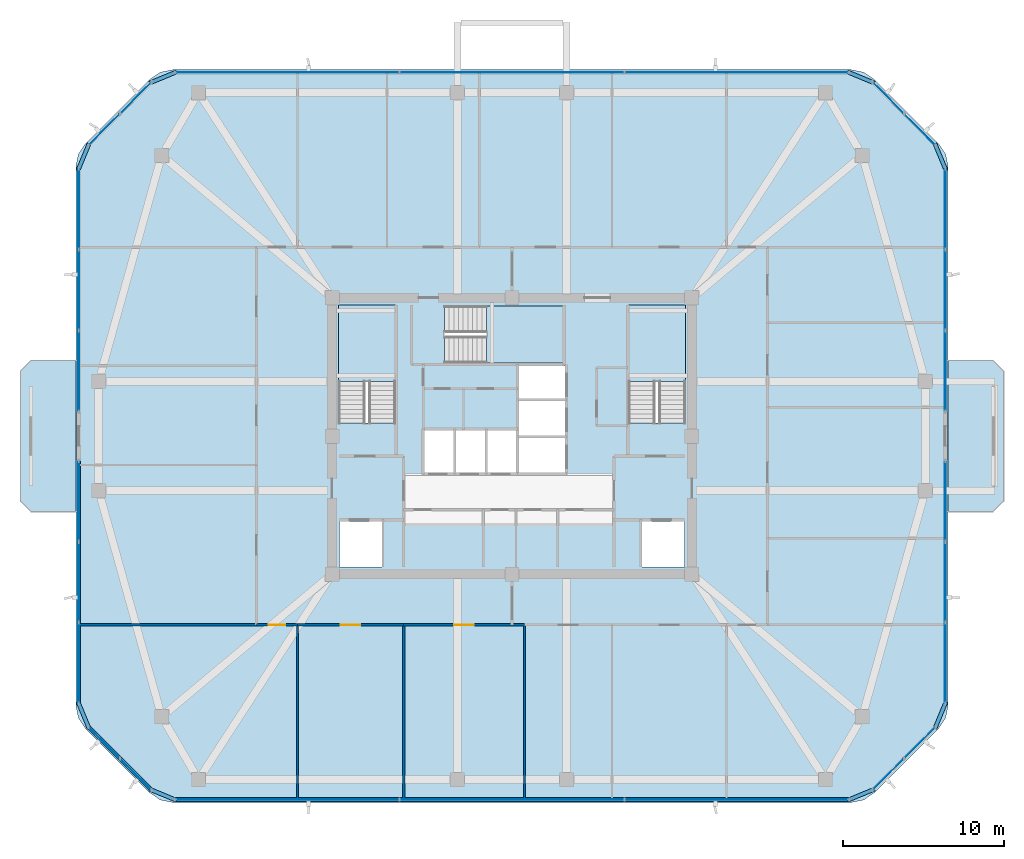
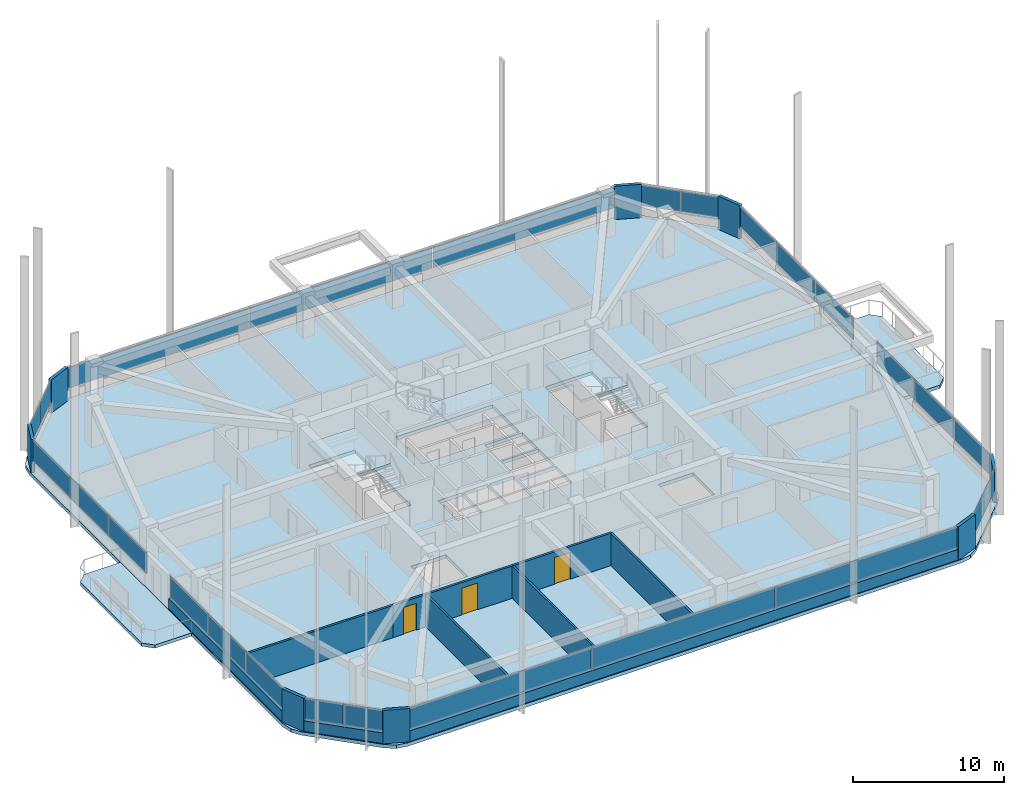
# One storey, part 9 of 17: 34 plates, 10 walls, 6 slabs, 3 doors, 3 openings, 13 elements without a shape of their own.
"""IFC4 building model written with IfcOpenShell, lengths in metres."""

from ifc_helpers import new_model, si_unit, derived_unit, direction, frame, frame_2d, origin, origin_2d, place, context, subcontext, project, spatial, polyline, rectangle, outline, extrude, material, layer, layer_set, type_object, element, fill, aggregate, save


model = new_model("IFC4")

# Units and contexts
model_context = context("Model", 3, precision=1e-05, world=origin(), true_north=direction((0.0, 1.0)))
body_context = subcontext(model_context, "Body", "Model", "MODEL_VIEW")
ifc_project = project(units=[si_unit("LENGTHUNIT", "METRE"), si_unit("AREAUNIT", "SQUARE_METRE"), si_unit("VOLUMEUNIT", "CUBIC_METRE"), si_unit("PLANEANGLEUNIT", "RADIAN"), si_unit("MASSUNIT", "GRAM", prefix="KILO"), derived_unit("THERMALTRANSMITTANCEUNIT", [(si_unit("POWERUNIT", "WATT"), 1), (si_unit("LENGTHUNIT", "METRE"), -2), (si_unit("THERMODYNAMICTEMPERATUREUNIT", "KELVIN"), -1)])], contexts=[model_context])

# Site, building, storey
site_placement = place(None, origin())
site = spatial("IfcSite", under=ifc_project, at=site_placement, CompositionType="ELEMENT")
building_placement = place(site_placement, origin())
building = spatial("IfcBuilding", under=site, at=building_placement, Name="Koralith Skygarden Medical Center", CompositionType="ELEMENT")
storey_placement = place(building_placement, frame((0.0, 0.0, 221.580078125)))
storey = spatial("IfcBuildingStorey", under=building, at=storey_placement, Name="L57", CompositionType="ELEMENT", Elevation=221.580078125)

# Curtain wall, plates
ifc_material_1 = material(Name="Clear Laminated Glass", Category="glass")
curtain_wall_type = type_object("IfcCurtainWallType", Name="CW-5 Zone 4 Flare Biophilic Curtain Wall", PredefinedType="NOTDEFINED", material=ifc_material_1)
curtain_wall_1_placement = place(storey_placement, origin())
curtain_wall_1 = element("IfcCurtainWall", 1, at=curtain_wall_1_placement, inside=storey, type_object=curtain_wall_type, Name="Curtain Wall CW-L57-S", PredefinedType="NOTDEFINED")
ifc_layer_1 = layer(ifc_material_1, 0.0380859375)
ifc_layer_set_1 = layer_set([ifc_layer_1], Name="Clear Laminated Glass")
plate_type_1 = type_object("IfcPlateType", Name="CW-5 Hurricane Laminated IGU Panel 38", PredefinedType="CURTAIN_PANEL", material=ifc_layer_set_1)
plate_1_placement = place(storey_placement, frame((23.009033203125, 3.280029296875, 0.919921875), z_axis=(0.0, 0.0, 1.0), x_axis=(1.0, 0.0, 0.0)))
plate_1 = element("IfcPlate", 2, at=plate_1_placement, type_object=plate_type_1, Name="CW-L57-S Glazed Panel 1", PredefinedType="CURTAIN_PANEL", context=body_context, shape_type="SweptSolid", body=[
    extrude(rectangle(XDim=13.90087890625, YDim=0.0380859375, at=origin_2d()), origin(), (0.0, 0.0, 1.0), 1.699951171875),
])
plate_2_placement = place(storey_placement, frame((37.0, 3.280029296875, 0.919921875), z_axis=(0.0, 0.0, 1.0), x_axis=(1.0, 0.0, 0.0)))
plate_2 = element("IfcPlate", 3, at=plate_2_placement, type_object=plate_type_1, Name="CW-L57-S Glazed Panel 2", PredefinedType="CURTAIN_PANEL", context=body_context, shape_type="SweptSolid", body=[
    extrude(rectangle(XDim=13.90087890625, YDim=0.0380859375, at=origin_2d()), origin(), (0.0, 0.0, 1.0), 1.699951171875),
])
plate_3_placement = place(storey_placement, frame((50.990966796875, 3.280029296875, 0.919921875), z_axis=(0.0, 0.0, 1.0), x_axis=(1.0, 0.0, 0.0)))
plate_3 = element("IfcPlate", 4, at=plate_3_placement, type_object=plate_type_1, Name="CW-L57-S Glazed Panel 3", PredefinedType="CURTAIN_PANEL", context=body_context, shape_type="SweptSolid", body=[
    extrude(rectangle(XDim=13.90087890625, YDim=0.0380859375, at=origin_2d()), origin(), (0.0, 0.0, 1.0), 1.699951171875),
])
aggregate(curtain_wall_1, [plate_1, plate_2, plate_3])

curtain_wall_2_placement = place(storey_placement, origin())
curtain_wall_2 = element("IfcCurtainWall", 5, at=curtain_wall_2_placement, inside=storey, type_object=curtain_wall_type, Name="Curtain Wall CW-L57-SE", PredefinedType="NOTDEFINED")
plate_4_placement = place(storey_placement, frame((60.4189453125, 4.862060546875, 0.919921875), z_axis=(0.0, 0.0, 1.0), x_axis=(0.707106781187, 0.707106781187, 0.0)))
plate_4 = element("IfcPlate", 6, at=plate_4_placement, type_object=plate_type_1, Name="CW-L57-SE Glazed Panel 1", PredefinedType="CURTAIN_PANEL", context=body_context, shape_type="SweptSolid", body=[
    extrude(rectangle(XDim=2.68408203125, YDim=0.0380859375, at=origin_2d()), origin(), (0.0, 0.0, 1.0), 1.699951171875),
])
plate_5_placement = place(storey_placement, frame((62.3798828125, 6.822998046875, 0.919921875), z_axis=(0.0, 0.0, 1.0), x_axis=(0.707106781187, 0.707106781187, 0.0)))
plate_5 = element("IfcPlate", 7, at=plate_5_placement, type_object=plate_type_1, Name="CW-L57-SE Glazed Panel 2", PredefinedType="CURTAIN_PANEL", context=body_context, shape_type="SweptSolid", body=[
    extrude(rectangle(XDim=2.68408203125, YDim=0.0380859375, at=origin_2d()), origin(), (0.0, 0.0, 1.0), 1.699951171875),
])
aggregate(curtain_wall_2, [plate_4, plate_5])

curtain_wall_3_placement = place(storey_placement, origin())
curtain_wall_3 = element("IfcCurtainWall", 8, at=curtain_wall_3_placement, inside=storey, type_object=curtain_wall_type, Name="Curtain Wall CW-L57-E-L", PredefinedType="NOTDEFINED")
plate_6_placement = place(storey_placement, frame((63.9619140625, 11.77294921875, 0.919921875), z_axis=(0.0, 0.0, 1.0), x_axis=(0.0, 1.0, 0.0)))
plate_6 = element("IfcPlate", 9, at=plate_6_placement, type_object=plate_type_1, Name="CW-L57-E-L Glazed Panel 1", PredefinedType="CURTAIN_PANEL", context=body_context, shape_type="SweptSolid", body=[
    extrude(rectangle(XDim=4.945068359375, YDim=0.0380859375, at=origin_2d()), origin(), (0.0, 0.0, 1.0), 1.699951171875),
])
plate_7_placement = place(storey_placement, frame((63.9619140625, 16.806884765625, 0.919921875), z_axis=(0.0, 0.0, 1.0), x_axis=(0.0, 1.0, 0.0)))
plate_7 = element("IfcPlate", 10, at=plate_7_placement, type_object=plate_type_1, Name="CW-L57-E-L Glazed Panel 2", PredefinedType="CURTAIN_PANEL", context=body_context, shape_type="SweptSolid", body=[
    extrude(rectangle(XDim=4.945068359375, YDim=0.0380859375, at=origin_2d()), origin(), (0.0, 0.0, 1.0), 1.699951171875),
])
plate_8_placement = place(storey_placement, frame((63.9619140625, 21.843017578125, 0.919921875), z_axis=(0.0, 0.0, 1.0), x_axis=(0.0, 1.0, 0.0)))
plate_8 = element("IfcPlate", 11, at=plate_8_placement, type_object=plate_type_1, Name="CW-L57-E-L Glazed Panel 3", PredefinedType="CURTAIN_PANEL", context=body_context, shape_type="SweptSolid", body=[
    extrude(rectangle(XDim=4.945068359375, YDim=0.0380859375, at=origin_2d()), origin(), (0.0, 0.0, 1.0), 1.699951171875),
])
aggregate(curtain_wall_3, [plate_6, plate_7, plate_8])

curtain_wall_4_placement = place(storey_placement, origin())
curtain_wall_4 = element("IfcCurtainWall", 12, at=curtain_wall_4_placement, inside=storey, type_object=curtain_wall_type, Name="Curtain Wall CW-L57-E-R", PredefinedType="NOTDEFINED")
plate_9_placement = place(storey_placement, frame((63.9619140625, 29.9580078125, 0.919921875), z_axis=(0.0, 0.0, 1.0), x_axis=(0.0, 1.0, 0.0)))
plate_9 = element("IfcPlate", 13, at=plate_9_placement, type_object=plate_type_1, Name="CW-L57-E-R Glazed Panel 1", PredefinedType="CURTAIN_PANEL", context=body_context, shape_type="SweptSolid", body=[
    extrude(rectangle(XDim=4.945068359375, YDim=0.0380859375, at=origin_2d()), origin(), (0.0, 0.0, 1.0), 1.699951171875),
])
plate_10_placement = place(storey_placement, frame((63.9619140625, 34.991943359375, 0.919921875), z_axis=(0.0, 0.0, 1.0), x_axis=(0.0, 1.0, 0.0)))
plate_10 = element("IfcPlate", 14, at=plate_10_placement, type_object=plate_type_1, Name="CW-L57-E-R Glazed Panel 2", PredefinedType="CURTAIN_PANEL", context=body_context, shape_type="SweptSolid", body=[
    extrude(rectangle(XDim=4.945068359375, YDim=0.0380859375, at=origin_2d()), origin(), (0.0, 0.0, 1.0), 1.699951171875),
])
plate_11_placement = place(storey_placement, frame((63.9619140625, 40.028076171875, 0.919921875), z_axis=(0.0, 0.0, 1.0), x_axis=(0.0, 1.0, 0.0)))
plate_11 = element("IfcPlate", 15, at=plate_11_placement, type_object=plate_type_1, Name="CW-L57-E-R Glazed Panel 3", PredefinedType="CURTAIN_PANEL", context=body_context, shape_type="SweptSolid", body=[
    extrude(rectangle(XDim=4.945068359375, YDim=0.0380859375, at=origin_2d()), origin(), (0.0, 0.0, 1.0), 1.699951171875),
])
aggregate(curtain_wall_4, [plate_9, plate_10, plate_11])

curtain_wall_5_placement = place(storey_placement, origin())
curtain_wall_5 = element("IfcCurtainWall", 16, at=curtain_wall_5_placement, inside=storey, type_object=curtain_wall_type, Name="Curtain Wall CW-L57-NE", PredefinedType="NOTDEFINED")
plate_12_placement = place(storey_placement, frame((62.3798828125, 44.97705078125, 0.919921875), z_axis=(0.0, 0.0, 1.0), x_axis=(-0.707106781187, 0.707106781187, 0.0)))
plate_12 = element("IfcPlate", 17, at=plate_12_placement, type_object=plate_type_1, Name="CW-L57-NE Glazed Panel 1", PredefinedType="CURTAIN_PANEL", context=body_context, shape_type="SweptSolid", body=[
    extrude(rectangle(XDim=2.68408203125, YDim=0.0380859375, at=origin_2d()), origin(), (0.0, 0.0, 1.0), 1.699951171875),
])
plate_13_placement = place(storey_placement, frame((60.4189453125, 46.93798828125, 0.919921875), z_axis=(0.0, 0.0, 1.0), x_axis=(-0.707106781187, 0.707106781187, 0.0)))
plate_13 = element("IfcPlate", 18, at=plate_13_placement, type_object=plate_type_1, Name="CW-L57-NE Glazed Panel 2", PredefinedType="CURTAIN_PANEL", context=body_context, shape_type="SweptSolid", body=[
    extrude(rectangle(XDim=2.68408203125, YDim=0.0380859375, at=origin_2d()), origin(), (0.0, 0.0, 1.0), 1.699951171875),
])
aggregate(curtain_wall_5, [plate_12, plate_13])

curtain_wall_6_placement = place(storey_placement, origin())
curtain_wall_6 = element("IfcCurtainWall", 19, at=curtain_wall_6_placement, inside=storey, type_object=curtain_wall_type, Name="Curtain Wall CW-L57-N", PredefinedType="NOTDEFINED")
plate_14_placement = place(storey_placement, frame((50.990966796875, 48.52001953125, 0.919921875), z_axis=(0.0, 0.0, 1.0), x_axis=(-1.0, 0.0, 0.0)))
plate_14 = element("IfcPlate", 20, at=plate_14_placement, type_object=plate_type_1, Name="CW-L57-N Glazed Panel 1", PredefinedType="CURTAIN_PANEL", context=body_context, shape_type="SweptSolid", body=[
    extrude(rectangle(XDim=13.90087890625, YDim=0.0380859375, at=origin_2d()), origin(), (0.0, 0.0, 1.0), 1.699951171875),
])
plate_15_placement = place(storey_placement, frame((37.0, 48.52001953125, 0.919921875), z_axis=(0.0, 0.0, 1.0), x_axis=(-1.0, 0.0, 0.0)))
plate_15 = element("IfcPlate", 21, at=plate_15_placement, type_object=plate_type_1, Name="CW-L57-N Glazed Panel 2", PredefinedType="CURTAIN_PANEL", context=body_context, shape_type="SweptSolid", body=[
    extrude(rectangle(XDim=13.90087890625, YDim=0.0380859375, at=origin_2d()), origin(), (0.0, 0.0, 1.0), 1.699951171875),
])
plate_16_placement = place(storey_placement, frame((23.009033203125, 48.52001953125, 0.919921875), z_axis=(0.0, 0.0, 1.0), x_axis=(-1.0, 0.0, 0.0)))
plate_16 = element("IfcPlate", 22, at=plate_16_placement, type_object=plate_type_1, Name="CW-L57-N Glazed Panel 3", PredefinedType="CURTAIN_PANEL", context=body_context, shape_type="SweptSolid", body=[
    extrude(rectangle(XDim=13.90087890625, YDim=0.0380859375, at=origin_2d()), origin(), (0.0, 0.0, 1.0), 1.699951171875),
])
aggregate(curtain_wall_6, [plate_14, plate_15, plate_16])

curtain_wall_7_placement = place(storey_placement, origin())
curtain_wall_7 = element("IfcCurtainWall", 23, at=curtain_wall_7_placement, inside=storey, type_object=curtain_wall_type, Name="Curtain Wall CW-L57-NW", PredefinedType="NOTDEFINED")
plate_17_placement = place(storey_placement, frame((13.5810546875, 46.93798828125, 0.919921875), z_axis=(0.0, 0.0, 1.0), x_axis=(-0.707106781187, -0.707106781187, 0.0)))
plate_17 = element("IfcPlate", 24, at=plate_17_placement, type_object=plate_type_1, Name="CW-L57-NW Glazed Panel 1", PredefinedType="CURTAIN_PANEL", context=body_context, shape_type="SweptSolid", body=[
    extrude(rectangle(XDim=2.68408203125, YDim=0.0380859375, at=origin_2d()), origin(), (0.0, 0.0, 1.0), 1.699951171875),
])
plate_18_placement = place(storey_placement, frame((11.6201171875, 44.97705078125, 0.919921875), z_axis=(0.0, 0.0, 1.0), x_axis=(-0.707106781187, -0.707106781187, 0.0)))
plate_18 = element("IfcPlate", 25, at=plate_18_placement, type_object=plate_type_1, Name="CW-L57-NW Glazed Panel 2", PredefinedType="CURTAIN_PANEL", context=body_context, shape_type="SweptSolid", body=[
    extrude(rectangle(XDim=2.68408203125, YDim=0.0380859375, at=origin_2d()), origin(), (0.0, 0.0, 1.0), 1.699951171875),
])
aggregate(curtain_wall_7, [plate_17, plate_18])

curtain_wall_8_placement = place(storey_placement, origin())
curtain_wall_8 = element("IfcCurtainWall", 26, at=curtain_wall_8_placement, inside=storey, type_object=curtain_wall_type, Name="Curtain Wall CW-L57-W-L", PredefinedType="NOTDEFINED")
plate_19_placement = place(storey_placement, frame((10.0380859375, 40.028076171875, 0.919921875), z_axis=(0.0, 0.0, 1.0), x_axis=(0.0, -1.0, 0.0)))
plate_19 = element("IfcPlate", 27, at=plate_19_placement, type_object=plate_type_1, Name="CW-L57-W-L Glazed Panel 1", PredefinedType="CURTAIN_PANEL", context=body_context, shape_type="SweptSolid", body=[
    extrude(rectangle(XDim=4.945068359375, YDim=0.0380859375, at=origin_2d()), origin(), (0.0, 0.0, 1.0), 1.699951171875),
])
plate_20_placement = place(storey_placement, frame((10.0380859375, 34.991943359375, 0.919921875), z_axis=(0.0, 0.0, 1.0), x_axis=(0.0, -1.0, 0.0)))
plate_20 = element("IfcPlate", 28, at=plate_20_placement, type_object=plate_type_1, Name="CW-L57-W-L Glazed Panel 2", PredefinedType="CURTAIN_PANEL", context=body_context, shape_type="SweptSolid", body=[
    extrude(rectangle(XDim=4.945068359375, YDim=0.0380859375, at=origin_2d()), origin(), (0.0, 0.0, 1.0), 1.699951171875),
])
plate_21_placement = place(storey_placement, frame((10.0380859375, 29.9580078125, 0.919921875), z_axis=(0.0, 0.0, 1.0), x_axis=(0.0, -1.0, 0.0)))
plate_21 = element("IfcPlate", 29, at=plate_21_placement, type_object=plate_type_1, Name="CW-L57-W-L Glazed Panel 3", PredefinedType="CURTAIN_PANEL", context=body_context, shape_type="SweptSolid", body=[
    extrude(rectangle(XDim=4.945068359375, YDim=0.0380859375, at=origin_2d()), origin(), (0.0, 0.0, 1.0), 1.699951171875),
])
aggregate(curtain_wall_8, [plate_19, plate_20, plate_21])

curtain_wall_9_placement = place(storey_placement, origin())
curtain_wall_9 = element("IfcCurtainWall", 30, at=curtain_wall_9_placement, inside=storey, type_object=curtain_wall_type, Name="Curtain Wall CW-L57-W-R", PredefinedType="NOTDEFINED")
plate_22_placement = place(storey_placement, frame((10.0380859375, 21.843017578125, 0.919921875), z_axis=(0.0, 0.0, 1.0), x_axis=(0.0, -1.0, 0.0)))
plate_22 = element("IfcPlate", 31, at=plate_22_placement, type_object=plate_type_1, Name="CW-L57-W-R Glazed Panel 1", PredefinedType="CURTAIN_PANEL", context=body_context, shape_type="SweptSolid", body=[
    extrude(rectangle(XDim=4.945068359375, YDim=0.0380859375, at=origin_2d()), origin(), (0.0, 0.0, 1.0), 1.699951171875),
])
plate_23_placement = place(storey_placement, frame((10.0380859375, 16.80810546875, 0.919921875), z_axis=(0.0, 0.0, 1.0), x_axis=(0.0, -1.0, 0.0)))
plate_23 = element("IfcPlate", 32, at=plate_23_placement, type_object=plate_type_1, Name="CW-L57-W-R Glazed Panel 2", PredefinedType="CURTAIN_PANEL", context=body_context, shape_type="SweptSolid", body=[
    extrude(rectangle(XDim=4.945068359375, YDim=0.0380859375, at=origin_2d()), origin(), (0.0, 0.0, 1.0), 1.699951171875),
])
plate_24_placement = place(storey_placement, frame((10.0380859375, 11.77294921875, 0.919921875), z_axis=(0.0, 0.0, 1.0), x_axis=(0.0, -1.0, 0.0)))
plate_24 = element("IfcPlate", 33, at=plate_24_placement, type_object=plate_type_1, Name="CW-L57-W-R Glazed Panel 3", PredefinedType="CURTAIN_PANEL", context=body_context, shape_type="SweptSolid", body=[
    extrude(rectangle(XDim=4.945068359375, YDim=0.0380859375, at=origin_2d()), origin(), (0.0, 0.0, 1.0), 1.699951171875),
])
aggregate(curtain_wall_9, [plate_22, plate_23, plate_24])

curtain_wall_10_placement = place(storey_placement, origin())
curtain_wall_10 = element("IfcCurtainWall", 34, at=curtain_wall_10_placement, inside=storey, type_object=curtain_wall_type, Name="Curtain Wall CW-L57-SW", PredefinedType="NOTDEFINED")
plate_25_placement = place(storey_placement, frame((11.6201171875, 6.822998046875, 0.919921875), z_axis=(0.0, 0.0, 1.0), x_axis=(0.707106781187, -0.707106781187, 0.0)))
plate_25 = element("IfcPlate", 35, at=plate_25_placement, type_object=plate_type_1, Name="CW-L57-SW Glazed Panel 1", PredefinedType="CURTAIN_PANEL", context=body_context, shape_type="SweptSolid", body=[
    extrude(rectangle(XDim=2.68408203125, YDim=0.0380859375, at=origin_2d()), origin(), (0.0, 0.0, 1.0), 1.699951171875),
])
plate_26_placement = place(storey_placement, frame((13.5810546875, 4.862060546875, 0.919921875), z_axis=(0.0, 0.0, 1.0), x_axis=(0.707106781187, -0.707106781187, 0.0)))
plate_26 = element("IfcPlate", 36, at=plate_26_placement, type_object=plate_type_1, Name="CW-L57-SW Glazed Panel 2", PredefinedType="CURTAIN_PANEL", context=body_context, shape_type="SweptSolid", body=[
    extrude(rectangle(XDim=2.68408203125, YDim=0.0380859375, at=origin_2d()), origin(), (0.0, 0.0, 1.0), 1.699951171875),
])
aggregate(curtain_wall_10, [plate_25, plate_26])

# Slabs
ifc_material_2 = material(Name="Concrete C45/55", Category="concrete")
ifc_layer_2 = layer(ifc_material_2, 0.260009765625)
ifc_layer_set_2 = layer_set([ifc_layer_2], Name="Concrete C45/55")
slab_type_1 = type_object("IfcSlabType", Name="Cantilevered Planted Balcony Slab 260", PredefinedType="FLOOR", material=ifc_layer_set_2)
slab_1_placement = place(storey_placement, frame((0.0, 0.0, -0.260009765625)))
element("IfcSlab", 37, at=slab_1_placement, inside=storey, type_object=slab_type_1, Name="L57 E Planted Sky-Garden Balcony Slab", PredefinedType="FLOOR", context=body_context, shape_type="SweptSolid", body=[
    extrude(outline(polyline([(64.14208984375, 21.199951171875), (66.94189453125, 21.199951171875), (67.592041015625, 21.85009765625), (67.592041015625, 29.949951171875), (66.94189453125, 30.60009765625), (64.14208984375, 30.60009765625), (64.14208984375, 21.199951171875)])), origin(), (0.0, 0.0, 1.0), 0.260009765625),
])
slab_2_placement = place(storey_placement, frame((0.0, 0.0, -0.260009765625)))
element("IfcSlab", 38, at=slab_2_placement, inside=storey, type_object=slab_type_1, Name="L57 W Planted Sky-Garden Balcony Slab", PredefinedType="FLOOR", context=body_context, shape_type="SweptSolid", body=[
    extrude(outline(polyline([(7.05810546875, 21.199951171875), (9.85791015625, 21.199951171875), (9.85791015625, 30.60009765625), (7.05810546875, 30.60009765625), (6.407958984375, 29.949951171875), (6.407958984375, 21.85009765625), (7.05810546875, 21.199951171875)])), origin(), (0.0, 0.0, 1.0), 0.260009765625),
])

# Stair, slab
stair_type = type_object("IfcStairType", Name="Core Exit Dogleg Concrete Stair", PredefinedType="HALF_TURN_STAIR", material=ifc_material_2)
stair_1_placement = place(storey_placement, origin())
stair_1 = element("IfcStair", 39, at=stair_1_placement, inside=storey, type_object=stair_type, Name="L57 Smokeproof Exit Stair ST1", PredefinedType="HALF_TURN_STAIR")
ifc_layer_3 = layer(ifc_material_2, 0.199951171875)
ifc_layer_set_3 = layer_set([ifc_layer_3], Name="Concrete C45/55")
slab_type_2 = type_object("IfcSlabType", Name="Core Exit Concrete Stair Landing 200", PredefinedType="LANDING", material=ifc_layer_set_3)
slab_3_placement = place(storey_placement, frame((0.0, 0.0, 1.599853515625)))
slab_3 = element("IfcSlab", 40, at=slab_3_placement, type_object=slab_type_2, Name="ST1 landing 1", PredefinedType="LANDING", context=body_context, shape_type="SweptSolid", body=[
    extrude(outline(polyline([(29.75, 29.31005859375), (29.75, 34.050048828125), (26.199951171875, 34.050048828125), (26.199951171875, 29.31005859375), (29.75, 29.31005859375)])), origin(), (0.0, 0.0, 1.0), 0.199951171875),
])
aggregate(stair_1, [slab_3])

stair_2_placement = place(storey_placement, origin())
stair_2 = element("IfcStair", 41, at=stair_2_placement, inside=storey, type_object=stair_type, Name="L57 Smokeproof Exit Stair ST2", PredefinedType="HALF_TURN_STAIR")
slab_4_placement = place(storey_placement, frame((0.0, 0.0, 1.599853515625)))
slab_4 = element("IfcSlab", 42, at=slab_4_placement, type_object=slab_type_2, Name="ST2 landing 1", PredefinedType="LANDING", context=body_context, shape_type="SweptSolid", body=[
    extrude(outline(polyline([(47.800048828125, 29.31005859375), (47.800048828125, 34.050048828125), (44.25, 34.050048828125), (44.25, 29.31005859375), (47.800048828125, 29.31005859375)])), origin(), (0.0, 0.0, 1.0), 0.199951171875),
])
aggregate(stair_2, [slab_4])

stair_3_placement = place(storey_placement, origin())
stair_3 = element("IfcStair", 43, at=stair_3_placement, inside=storey, type_object=stair_type, Name="L57 Smokeproof Exit Stair ST3", PredefinedType="HALF_TURN_STAIR")
slab_5_placement = place(storey_placement, frame((0.0, 0.0, 1.599853515625)))
slab_5 = element("IfcSlab", 44, at=slab_5_placement, type_object=slab_type_2, Name="ST3 landing 1", PredefinedType="LANDING", context=body_context, shape_type="SweptSolid", body=[
    extrude(outline(polyline([(35.409912109375, 30.449951171875), (40.199951171875, 30.449951171875), (40.199951171875, 34.0), (35.409912109375, 34.0), (35.409912109375, 30.449951171875)])), origin(), (0.0, 0.0, 1.0), 0.199951171875),
])
aggregate(stair_3, [slab_5])

# Slab
ifc_layer_4 = layer(ifc_material_2, 0.280029296875)
ifc_layer_set_4 = layer_set([ifc_layer_4], Name="Concrete C45/55")
slab_type_3 = type_object("IfcSlabType", Name="Post-Tensioned Ward Floor Plate 280", PredefinedType="FLOOR", material=ifc_layer_set_4)
slab_6_placement = place(storey_placement, frame((0.0, 0.0, -0.280029296875)))
element("IfcSlab", 45, at=slab_6_placement, inside=storey, type_object=slab_type_3, Name="Level L57 Structural Floor Slab", PredefinedType="FLOOR", context=body_context, shape_type="SweptSolid", body=[
    extrude(outline(polyline([(14.471923828125, 3.68603515625), (15.12109375, 3.251953125), (15.885986328125, 3.10009765625), (58.114013671875, 3.10009765625), (58.87890625, 3.251953125), (59.528076171875, 3.68603515625), (63.555908203125, 7.714111328125), (63.989990234375, 8.363037109375), (64.14208984375, 9.1279296875), (64.14208984375, 42.672119140625), (63.989990234375, 43.43701171875), (63.555908203125, 44.0859375), (59.528076171875, 48.114013671875), (58.87890625, 48.548095703125), (58.114013671875, 48.699951171875), (15.885986328125, 48.699951171875), (15.12109375, 48.548095703125), (14.471923828125, 48.114013671875), (10.444091796875, 44.0859375), (10.010009765625, 43.43701171875), (9.85791015625, 42.672119140625), (9.85791015625, 9.1279296875), (10.010009765625, 8.363037109375), (10.444091796875, 7.714111328125), (14.471923828125, 3.68603515625)]), holes=[polyline([(26.199951171875, 26.705078125), (29.75, 26.705078125), (29.75, 34.050048828125), (26.199951171875, 34.050048828125), (26.199951171875, 26.705078125)]), polyline([(44.25, 26.705078125), (47.800048828125, 26.705078125), (47.800048828125, 34.050048828125), (44.25, 34.050048828125), (44.25, 26.705078125)]), polyline([(32.804931640625, 30.449951171875), (40.199951171875, 30.449951171875), (40.199951171875, 34.0), (32.804931640625, 34.0), (32.804931640625, 30.449951171875)]), polyline([(26.25, 17.75), (28.89990234375, 17.75), (28.89990234375, 20.60009765625), (26.25, 20.60009765625), (26.25, 17.75)]), polyline([(45.10009765625, 17.75), (47.75, 17.75), (47.75, 20.60009765625), (45.10009765625, 20.60009765625), (45.10009765625, 17.75)]), polyline([(31.550048828125, 23.64990234375), (33.39990234375, 23.64990234375), (33.39990234375, 26.25), (31.550048828125, 26.25), (31.550048828125, 23.64990234375)]), polyline([(33.5, 23.64990234375), (35.35009765625, 23.64990234375), (35.35009765625, 26.25), (33.5, 26.25), (33.5, 23.64990234375)]), polyline([(35.449951171875, 23.64990234375), (37.300048828125, 23.64990234375), (37.300048828125, 26.25), (35.449951171875, 26.25), (35.449951171875, 23.64990234375)]), polyline([(37.449951171875, 23.64990234375), (40.300048828125, 23.64990234375), (40.300048828125, 25.800048828125), (37.449951171875, 25.800048828125), (37.449951171875, 23.64990234375)]), polyline([(37.449951171875, 25.949951171875), (40.300048828125, 25.949951171875), (40.300048828125, 28.10009765625), (37.449951171875, 28.10009765625), (37.449951171875, 25.949951171875)]), polyline([(37.449951171875, 28.25), (40.300048828125, 28.25), (40.300048828125, 30.25), (37.449951171875, 30.25), (37.449951171875, 28.25)])]), origin(), (0.0, 0.0, 1.0), 0.280029296875),
])

# Plates
ifc_material_3 = material(Name="Warm Oolitic Limestone Cladding", Category="masonry")
ifc_layer_5 = layer(ifc_material_3, 0.239990234375)
ifc_layer_set_5 = layer_set([ifc_layer_5], Name="Warm Oolitic Limestone Cladding")
plate_type_2 = type_object("IfcPlateType", Name="Rounded-Corner Oolitic Limestone Cladding Panel 240", PredefinedType="USERDEFINED", material=ifc_layer_set_5)
for number, where, z_axis, x_axis, name in (
    (46, (58.712890625, 3.580078125, 0.0), (0.0, 0.0, 1.0), (0.92388487569, 0.382670532536, 0.0), "L57 Rounded-Corner Limestone Pier 1"),
    (47, (63.662109375, 8.530029296875, 0.0), (0.0, 0.0, 1.0), (0.382670532536, 0.92388487569, 0.0), "L57 Rounded-Corner Limestone Pier 2"),
    (48, (63.662109375, 43.27001953125, 0.0), (0.0, 0.0, 1.0), (-0.382670532536, 0.92388487569, 0.0), "L57 Rounded-Corner Limestone Pier 3"),
    (49, (58.712890625, 48.218994140625, 0.0), (0.0, 0.0, 1.0), (-0.92388487569, 0.382670532536, 0.0), "L57 Rounded-Corner Limestone Pier 4"),
    (50, (15.2880859375, 48.218994140625, 0.0), (0.0, 0.0, 1.0), (-0.92388487569, -0.382670532536, 0.0), "L57 Rounded-Corner Limestone Pier 5"),
    (51, (10.337890625, 43.27001953125, 0.0), (0.0, 0.0, 1.0), (-0.382670532536, -0.92388487569, 0.0), "L57 Rounded-Corner Limestone Pier 6"),
    (52, (10.337890625, 8.530029296875, 0.0), (0.0, 0.0, 1.0), (0.382670532536, -0.92388487569, 0.0), "L57 Rounded-Corner Limestone Pier 7"),
    (53, (15.2880859375, 3.580078125, 0.0), (0.0, 0.0, 1.0), (0.92388487569, -0.382670532536, 0.0), "L57 Rounded-Corner Limestone Pier 8"),
):
    element("IfcPlate", number, at=place(storey_placement, frame(where, z_axis=z_axis, x_axis=x_axis)), inside=storey, type_object=plate_type_2, Name=name, ObjectType="LIMESTONE CLADDING", PredefinedType="USERDEFINED", context=body_context, shape_type="SweptSolid", body=[
        extrude(rectangle(XDim=1.81103515625, YDim=0.239990234375, at=origin_2d()), origin(), (0.0, 0.0, 1.0), 2.68994140625),
    ])

# Walls
ifc_material_4 = material(Name="Gypsum Board Partition")
ifc_layer_6 = layer(ifc_material_4, 0.14990234375)
ifc_layer_set_6 = layer_set([ifc_layer_6], Name="Gypsum Board Partition")
wall_type_1 = type_object("IfcWallType", Name="Clinical Acoustic Partition 150", PredefinedType="PARTITIONING", material=ifc_layer_set_6)
for number, where, z_axis, x_axis, name in (
    (54, (23.64990234375, 14.14990234375, 0.0), (0.0, 0.0, 1.0), (0.0, -1.0, 0.0), "L57 Clinical Acoustic Partition 150 W-PART-L57-S-01"),
    (55, (30.260009765625, 14.14990234375, 0.0), (0.0, 0.0, 1.0), (0.0, -1.0, 0.0), "L57 Clinical Acoustic Partition 150 W-PART-L57-S-02"),
    (56, (37.777099609375, 14.14990234375, 0.0), (0.0, 0.0, 1.0), (0.0, -1.0, 0.0), "L57 Clinical Acoustic Partition 150 W-PART-L57-S-03"),
):
    element("IfcWall", number, at=place(storey_placement, frame(where, z_axis=z_axis, x_axis=x_axis)), inside=storey, type_object=wall_type_1, Name=name, PredefinedType="PARTITIONING", context=body_context, shape_type="SweptSolid", body=[
        extrude(rectangle(XDim=10.849853515625, YDim=0.14990234375, at=frame_2d((5.4248046875, 0.0))), origin(), (0.0, 0.0, 1.0), 2.60986328125),
    ])
ifc_layer_7 = layer(ifc_material_4, 0.1650390625)
ifc_layer_set_7 = layer_set([ifc_layer_7], Name="Gypsum Board Partition")
wall_type_2 = type_object("IfcWallType", Name="Clinical Corridor Partition 165", PredefinedType="PARTITIONING", material=ifc_layer_set_7)
wall_1_placement = place(storey_placement, frame((10.05810546875, 14.14990234375, 0.0), z_axis=(0.0, 0.0, 1.0), x_axis=(1.0, 0.0, 0.0)))
element("IfcWall", 57, at=wall_1_placement, inside=storey, type_object=wall_type_2, Name="L57 Clinical Corridor Partition 165 W-WB-L57-SW", PredefinedType="PARTITIONING", context=body_context, shape_type="SweptSolid", body=[
    extrude(rectangle(XDim=11.0419921875, YDim=0.1650390625, at=frame_2d((5.52099609375, 0.0))), origin(), (0.0, 0.0, 1.0), 2.60986328125),
])

# Wall, opening, door
wall_2_placement = place(storey_placement, frame((21.10009765625, 14.14990234375, 0.0), z_axis=(0.0, 0.0, 1.0), x_axis=(1.0, 0.0, 0.0)))
wall_2 = element("IfcWall", 58, at=wall_2_placement, inside=storey, type_object=wall_type_2, Name="L57 Clinical Corridor Partition 165 W-CORR-L57-S-01", PredefinedType="PARTITIONING", context=body_context, shape_type="SweptSolid", body=[
    extrude(rectangle(XDim=2.5498046875, YDim=0.1650390625, at=frame_2d((1.27490234375, 0.0))), origin(), (0.0, 0.0, 1.0), 2.60986328125),
])
opening_1_placement = place(wall_2_placement, frame((0.77490234375, 0.0, 0.0)))
opening_1 = element("IfcOpeningElement", 59, at=opening_1_placement, cuts=wall_2, Name="Opening D-SUP", PredefinedType="OPENING", context=body_context, shape_type="SweptSolid", body=[
    extrude(rectangle(XDim=1.0, YDim=2.14990234375, at=frame_2d((0.5, 1.074951171875))), frame((0.0, 0.092529296875, 0.0), z_axis=(0.0, -1.0, 0.0), x_axis=(1.0, 0.0, 0.0)), (0.0, 0.0, 1.0), 0.18505859375),
])
ifc_material_5 = material(Name="Aluminium 6063-T6", Category="aluminium")
door_type_1 = type_object("IfcDoorType", Name="Clinical Support Door D-SUP 1000", OperationType="NOTDEFINED", PredefinedType="DOOR", material=ifc_material_5)
door_1_placement = place(opening_1_placement, frame((1.0, 0.0, 0.0), z_axis=(0.0, 0.0, 1.0), x_axis=(-1.0, 0.0, 0.0)))
door_1 = element("IfcDoor", 60, at=door_1_placement, inside=storey, type_object=door_type_1, Name="L57 Sterile Supply Equipment Store 07 Door", OperationType="SINGLE_SWING_RIGHT", OverallHeight=2.14990234375, OverallWidth=1.0, PredefinedType="DOOR", context=body_context, shape_type="SweptSolid", body=[
    extrude(rectangle(XDim=1.0, YDim=2.14990234375, at=frame_2d((0.5, 1.074951171875))), frame((0.0, 0.02490234375, 0.0), z_axis=(0.0, -1.0, 0.0), x_axis=(1.0, 0.0, 0.0)), (0.0, 0.0, 1.0), 0.050048828125),
])
fill(opening_1, door_1)

wall_3_placement = place(storey_placement, frame((23.64990234375, 14.14990234375, 0.0), z_axis=(0.0, 0.0, 1.0), x_axis=(1.0, 0.0, 0.0)))
wall_3 = element("IfcWall", 61, at=wall_3_placement, inside=storey, type_object=wall_type_2, Name="L57 Clinical Corridor Partition 165 W-CORR-L57-S-02", PredefinedType="PARTITIONING", context=body_context, shape_type="SweptSolid", body=[
    extrude(rectangle(XDim=6.610107421875, YDim=0.1650390625, at=frame_2d((3.30517578125, 0.0))), origin(), (0.0, 0.0, 1.0), 2.60986328125),
])
opening_2_placement = place(wall_3_placement, frame((2.705078125, 0.0, 0.0)))
opening_2 = element("IfcOpeningElement", 62, at=opening_2_placement, cuts=wall_3, Name="Opening D-CLN", PredefinedType="OPENING", context=body_context, shape_type="SweptSolid", body=[
    extrude(rectangle(XDim=1.199951171875, YDim=2.14990234375, at=frame_2d((0.60009765625, 1.074951171875))), frame((0.0, 0.092529296875, 0.0), z_axis=(0.0, -1.0, 0.0), x_axis=(1.0, 0.0, 0.0)), (0.0, 0.0, 1.0), 0.18505859375),
])
door_type_2 = type_object("IfcDoorType", Name="Clinical Corridor Door D-CLN 1200", OperationType="NOTDEFINED", PredefinedType="DOOR", material=ifc_material_5)
door_2_placement = place(opening_2_placement, frame((1.199951171875, 0.0, 0.0), z_axis=(0.0, 0.0, 1.0), x_axis=(-1.0, 0.0, 0.0)))
door_2 = element("IfcDoor", 63, at=door_2_placement, inside=storey, type_object=door_type_2, Name="L57 Clinical Consultation Office 08 Door", OperationType="SINGLE_SWING_LEFT", OverallHeight=2.14990234375, OverallWidth=1.199951171875, PredefinedType="DOOR", context=body_context, shape_type="SweptSolid", body=[
    extrude(rectangle(XDim=1.199951171875, YDim=2.14990234375, at=frame_2d((0.60009765625, 1.074951171875))), frame((0.0, 0.02490234375, 0.0), z_axis=(0.0, -1.0, 0.0), x_axis=(1.0, 0.0, 0.0)), (0.0, 0.0, 1.0), 0.050048828125),
])
fill(opening_2, door_2)

wall_4_placement = place(storey_placement, frame((30.260009765625, 14.14990234375, 0.0), z_axis=(0.0, 0.0, 1.0), x_axis=(1.0, 0.0, 0.0)))
wall_4 = element("IfcWall", 64, at=wall_4_placement, inside=storey, type_object=wall_type_2, Name="L57 Clinical Corridor Partition 165 W-CORR-L57-S-03", PredefinedType="PARTITIONING", context=body_context, shape_type="SweptSolid", body=[
    extrude(rectangle(XDim=7.51708984375, YDim=0.1650390625, at=frame_2d((3.758544921875, 0.0))), origin(), (0.0, 0.0, 1.0), 2.60986328125),
])
opening_3_placement = place(wall_4_placement, frame((3.157958984375, 0.0, 0.0)))
opening_3 = element("IfcOpeningElement", 65, at=opening_3_placement, cuts=wall_4, Name="Opening D-CLN", PredefinedType="OPENING", context=body_context, shape_type="SweptSolid", body=[
    extrude(rectangle(XDim=1.199951171875, YDim=2.14990234375, at=frame_2d((0.60009765625, 1.074951171875))), frame((0.0, 0.092529296875, 0.0), z_axis=(0.0, -1.0, 0.0), x_axis=(1.0, 0.0, 0.0)), (0.0, 0.0, 1.0), 0.18505859375),
])
door_3_placement = place(opening_3_placement, frame((1.199951171875, 0.0, 0.0), z_axis=(0.0, 0.0, 1.0), x_axis=(-1.0, 0.0, 0.0)))
door_3 = element("IfcDoor", 66, at=door_3_placement, inside=storey, type_object=door_type_2, Name="L57 Medical Resident Teaching Seminar Room 09 Door", OperationType="SINGLE_SWING_RIGHT", OverallHeight=2.14990234375, OverallWidth=1.199951171875, PredefinedType="DOOR", context=body_context, shape_type="SweptSolid", body=[
    extrude(rectangle(XDim=1.199951171875, YDim=2.14990234375, at=frame_2d((0.60009765625, 1.074951171875))), frame((0.0, 0.02490234375, 0.0), z_axis=(0.0, -1.0, 0.0), x_axis=(1.0, 0.0, 0.0)), (0.0, 0.0, 1.0), 0.050048828125),
])
fill(opening_3, door_3)

# Walls
ifc_layer_8 = layer(ifc_material_3, 0.239990234375)
ifc_layer_set_8 = layer_set([ifc_layer_8], Name="Warm Oolitic Limestone Cladding")
wall_type_3 = type_object("IfcWallType", Name="Limestone Spandrel Sill Backup Wall 240", PredefinedType="SOLIDWALL", material=ifc_layer_set_8)
wall_5_placement = place(storey_placement, frame((16.012939453125, 3.280029296875, 0.0), z_axis=(0.0, 0.0, 1.0), x_axis=(1.0, 0.0, 0.0)))
element("IfcWall", 67, at=wall_5_placement, inside=storey, type_object=wall_type_3, Name="L57 Sill Spandrel S", PredefinedType="SOLIDWALL", context=body_context, shape_type="SweptSolid", body=[
    extrude(rectangle(XDim=41.97412109375, YDim=0.239990234375, at=frame_2d((20.987060546875, 0.0))), origin(), (0.0, 0.0, 1.0), 0.849853515625),
])
wall_6_placement = place(storey_placement, frame((10.0380859375, 24.360107421875, 0.0), z_axis=(0.0, 0.0, 1.0), x_axis=(0.0, -1.0, 0.0)))
element("IfcWall", 68, at=wall_6_placement, inside=storey, type_object=wall_type_3, Name="L57 Sill Spandrel W-R", PredefinedType="SOLIDWALL", context=body_context, shape_type="SweptSolid", body=[
    extrude(rectangle(XDim=15.105224609375, YDim=0.239990234375, at=frame_2d((7.552734375, 0.0))), origin(), (0.0, 0.0, 1.0), 0.849853515625),
])
wall_7_placement = place(storey_placement, frame((10.638916015625, 7.803955078125, 0.0), z_axis=(0.0, 0.0, 1.0), x_axis=(0.707128783731, -0.707084777957, 0.0)))
element("IfcWall", 69, at=wall_7_placement, inside=storey, type_object=wall_type_3, Name="L57 Sill Spandrel SW", PredefinedType="SOLIDWALL", context=body_context, shape_type="SweptSolid", body=[
    extrude(rectangle(XDim=5.5478515625, YDim=0.239990234375, at=frame_2d((2.77392578125, 0.0))), origin(), (0.0, 0.0, 1.0), 0.849853515625),
])

save(model, "model.ifc")
